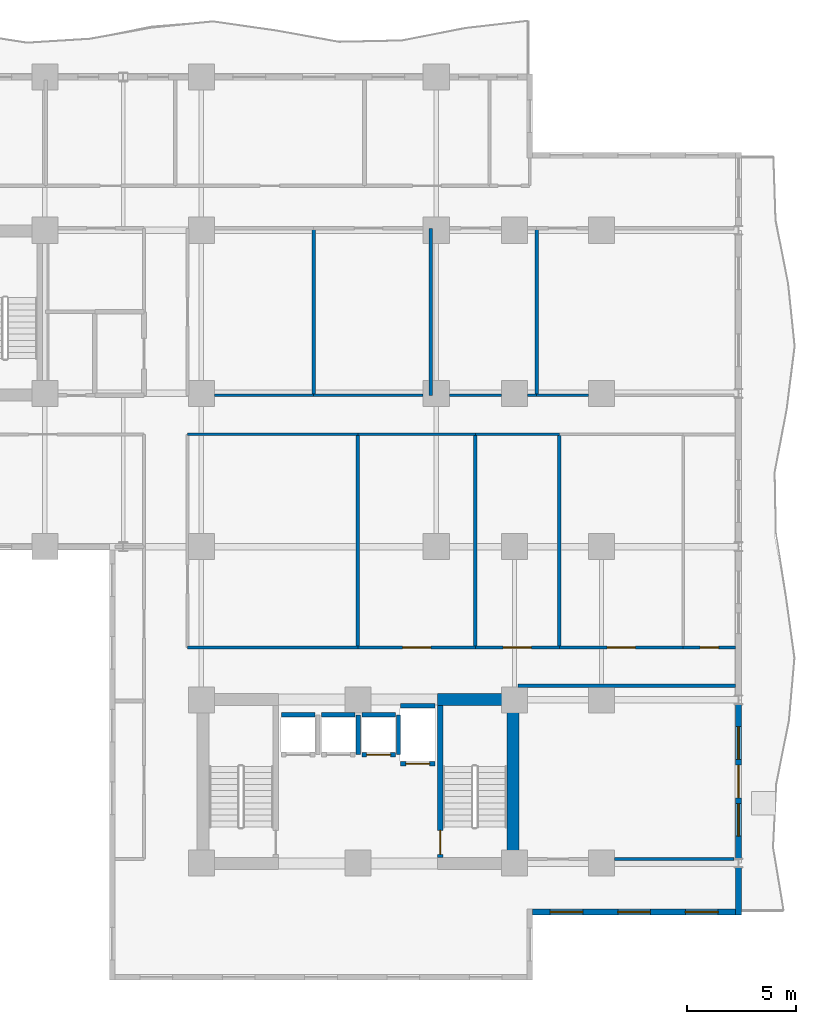
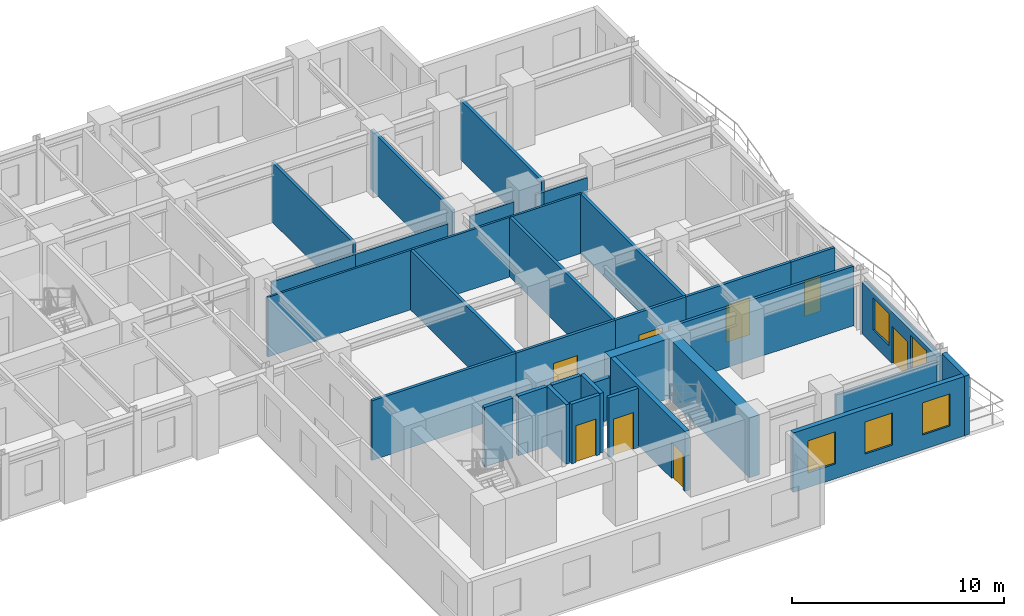
# One storey, part 5 of 11: 35 walls, 8 doors, 5 windows, 13 openings.
"""IFC4 building model written with IfcOpenShell, lengths in metres."""

from ifc_helpers import new_model, si_unit, direction, frame, frame_2d, origin, place, context, subcontext, project, spatial, rectangle, extrude, material, layer, layer_set, type_object, element, fill, save


model = new_model("IFC4")

# Units and contexts
model_context = context("Model", 3, precision=1e-05, world=origin(), true_north=direction((0.0, 1.0)))
body_context = subcontext(model_context, "Body", "Model", "MODEL_VIEW")
ifc_project = project(units=[si_unit("LENGTHUNIT", "METRE"), si_unit("AREAUNIT", "SQUARE_METRE"), si_unit("VOLUMEUNIT", "CUBIC_METRE"), si_unit("PLANEANGLEUNIT", "RADIAN"), si_unit("MASSUNIT", "GRAM", prefix="KILO")], contexts=[model_context])

# Site, building, storey
site_placement = place(None, origin())
site = spatial("IfcSite", under=ifc_project, at=site_placement, CompositionType="ELEMENT")
building_placement = place(site_placement, origin())
building = spatial("IfcBuilding", under=site, at=building_placement, Name="Kaliganga Portal Commons", CompositionType="ELEMENT")
storey_placement = place(building_placement, frame((0.0, 0.0, 115.60009765625)))
storey = spatial("IfcBuildingStorey", under=building, at=storey_placement, Name="L29", CompositionType="ELEMENT", Elevation=115.60009765625)

# Walls
ifc_material_1 = material(Name="Concrete C60/75", Category="concrete")
ifc_layer_1 = layer(ifc_material_1, 0.550048828125)
ifc_layer_set_1 = layer_set([ifc_layer_1], Name="Concrete C60/75")
wall_type_1 = type_object("IfcWallType", Name="WL-CORE-550", PredefinedType="SHEAR", material=ifc_layer_set_1)
wall_1_placement = place(storey_placement, frame((50.324951171875, 6.75, 0.0), z_axis=(0.0, 0.0, 1.0), x_axis=(0.0, 1.0, 0.0)))
element("IfcWall", 1, at=wall_1_placement, inside=storey, type_object=wall_type_1, Name="Core B East Shear Wall L29", PredefinedType="SHEAR", context=body_context, shape_type="SweptSolid", body=[
    extrude(rectangle(XDim=8.10009765625, YDim=0.550048828125, at=frame_2d((4.050048828125, 0.0))), origin(), (0.0, 0.0, 1.0), 3.449951171875),
])
wall_2_placement = place(storey_placement, frame((46.85009765625, 14.574951171875, 0.0), z_axis=(0.0, 0.0, 1.0), x_axis=(1.0, 0.0, 0.0)))
element("IfcWall", 2, at=wall_2_placement, inside=storey, type_object=wall_type_1, Name="Core B N-East Shear Wall L29", PredefinedType="SHEAR", context=body_context, shape_type="SweptSolid", body=[
    extrude(rectangle(XDim=3.199951171875, YDim=0.550048828125, at=frame_2d((1.60009765625, 0.0))), origin(), (0.0, 0.0, 1.0), 3.449951171875),
])

# Wall, openings, windows
ifc_material_2 = material(Name="Insulated Aluminium-Clad Spandrel Assembly", Category="aluminium")
ifc_layer_2 = layer(ifc_material_2, 0.260009765625)
ifc_layer_set_2 = layer_set([ifc_layer_2], Name="Insulated Aluminium-Clad Spandrel Assembly")
wall_type_2 = type_object("IfcWallType", Name="WL-EXT-SPAND-260", PredefinedType="STANDARD", material=ifc_layer_set_2)
wall_3_placement = place(storey_placement, frame((60.56494140625, 4.800048828125, 0.0), z_axis=(0.0, 0.0, 1.0), x_axis=(-1.0, 0.0, 0.0)))
wall_3 = element("IfcWall", 3, at=wall_3_placement, inside=storey, type_object=wall_type_2, Name="Exterior Envelope Wall L29 P1-E02-S1", PredefinedType="STANDARD", context=body_context, shape_type="SweptSolid", body=[
    extrude(rectangle(XDim=9.329833984375, YDim=0.260009765625, at=frame_2d((4.6650390625, 0.0))), origin(), (0.0, 0.0, 1.0), 3.429931640625),
])
opening_1_placement = place(wall_3_placement, frame((0.804931640625, 0.0, 0.85009765625)))
opening_1 = element("IfcOpeningElement", 4, at=opening_1_placement, cuts=wall_3, Name="Opening W-02", PredefinedType="OPENING", context=body_context, shape_type="SweptSolid", body=[
    extrude(rectangle(XDim=1.5, YDim=1.85009765625, at=frame_2d((0.75, 0.925048828125))), frame((0.0, 0.14013671875, 0.0), z_axis=(0.0, -1.0, 0.0), x_axis=(1.0, 0.0, 0.0)), (0.0, 0.0, 1.0), 0.280029296875),
])
opening_2_placement = place(wall_3_placement, frame((3.9150390625, 0.0, 0.85009765625)))
opening_2 = element("IfcOpeningElement", 5, at=opening_2_placement, cuts=wall_3, Name="Opening W-02", PredefinedType="OPENING", context=body_context, shape_type="SweptSolid", body=[
    extrude(rectangle(XDim=1.5, YDim=1.85009765625, at=frame_2d((0.75, 0.925048828125))), frame((0.0, 0.14013671875, 0.0), z_axis=(0.0, -1.0, 0.0), x_axis=(1.0, 0.0, 0.0)), (0.0, 0.0, 1.0), 0.280029296875),
])
opening_3_placement = place(wall_3_placement, frame((7.02490234375, 0.0, 0.85009765625)))
opening_3 = element("IfcOpeningElement", 6, at=opening_3_placement, cuts=wall_3, Name="Opening W-02", PredefinedType="OPENING", context=body_context, shape_type="SweptSolid", body=[
    extrude(rectangle(XDim=1.5, YDim=1.85009765625, at=frame_2d((0.75, 0.925048828125))), frame((0.0, 0.14013671875, 0.0), z_axis=(0.0, -1.0, 0.0), x_axis=(1.0, 0.0, 0.0)), (0.0, 0.0, 1.0), 0.280029296875),
])
ifc_material_3 = material(Name="Thermally Broken Aluminium and Low-E Double Glazing", Category="aluminium")
window_type = type_object("IfcWindowType", Name="WIN-STD-1500", PartitioningType="DOUBLE_PANEL_VERTICAL", PredefinedType="WINDOW", material=ifc_material_3)
window_1_placement = place(opening_1_placement, origin())
window_1 = element("IfcWindow", 7, at=window_1_placement, inside=storey, type_object=window_type, Name="Facade Window L29-P1E02S1-00", OverallHeight=1.85009765625, OverallWidth=1.5, PartitioningType="SINGLE_PANEL", PredefinedType="WINDOW", context=body_context, shape_type="SweptSolid", body=[
    extrude(rectangle(XDim=1.5, YDim=1.85009765625, at=frame_2d((0.75, 0.925048828125))), frame((0.0, 0.030029296875, 0.0), z_axis=(0.0, -1.0, 0.0), x_axis=(1.0, 0.0, 0.0)), (0.0, 0.0, 1.0), 0.06005859375),
])
fill(opening_1, window_1)
window_2_placement = place(opening_2_placement, origin())
window_2 = element("IfcWindow", 8, at=window_2_placement, inside=storey, type_object=window_type, Name="Facade Window L29-P1E02S1-01", OverallHeight=1.85009765625, OverallWidth=1.5, PartitioningType="SINGLE_PANEL", PredefinedType="WINDOW", context=body_context, shape_type="SweptSolid", body=[
    extrude(rectangle(XDim=1.5, YDim=1.85009765625, at=frame_2d((0.75, 0.925048828125))), frame((0.0, 0.030029296875, 0.0), z_axis=(0.0, -1.0, 0.0), x_axis=(1.0, 0.0, 0.0)), (0.0, 0.0, 1.0), 0.06005859375),
])
fill(opening_2, window_2)
window_3_placement = place(opening_3_placement, origin())
window_3 = element("IfcWindow", 9, at=window_3_placement, inside=storey, type_object=window_type, Name="Facade Window L29-P1E02S1-02", OverallHeight=1.85009765625, OverallWidth=1.5, PartitioningType="SINGLE_PANEL", PredefinedType="WINDOW", context=body_context, shape_type="SweptSolid", body=[
    extrude(rectangle(XDim=1.5, YDim=1.85009765625, at=frame_2d((0.75, 0.925048828125))), frame((0.0, 0.030029296875, 0.0), z_axis=(0.0, -1.0, 0.0), x_axis=(1.0, 0.0, 0.0)), (0.0, 0.0, 1.0), 0.06005859375),
])
fill(opening_3, window_3)

# Wall
wall_4_placement = place(storey_placement, frame((60.699951171875, 6.833984375, 0.0), z_axis=(0.0, 0.0, 1.0), x_axis=(0.0, -1.0, 0.0)))
element("IfcWall", 10, at=wall_4_placement, inside=storey, type_object=wall_type_2, Name="Exterior Envelope Wall L29 P1-E03-S1", PredefinedType="STANDARD", context=body_context, shape_type="SweptSolid", body=[
    extrude(rectangle(XDim=2.1640625, YDim=0.260009765625, at=frame_2d((1.08203125, 0.0))), origin(), (0.0, 0.0, 1.0), 3.429931640625),
])

# Wall, openings, door, windows
wall_5_placement = place(storey_placement, frame((60.699951171875, 14.333984375, 0.0), z_axis=(0.0, 0.0, 1.0), x_axis=(0.0, -1.0, 0.0)))
wall_5 = element("IfcWall", 11, at=wall_5_placement, inside=storey, type_object=wall_type_2, Name="Exterior Envelope Wall L29 P1-E03-S2", PredefinedType="STANDARD", context=body_context, shape_type="SweptSolid", body=[
    extrude(rectangle(XDim=7.06787109375, YDim=0.260009765625, at=frame_2d((3.533935546875, 0.0))), origin(), (0.0, 0.0, 1.0), 2.97998046875),
])
opening_4_placement = place(wall_5_placement, frame((2.783935546875, 0.0, 0.0)))
opening_4 = element("IfcOpeningElement", 12, at=opening_4_placement, cuts=wall_5, Name="Opening BD-01", PredefinedType="OPENING", context=body_context, shape_type="SweptSolid", body=[
    extrude(rectangle(XDim=1.5, YDim=2.14990234375, at=frame_2d((0.75, 1.074951171875))), frame((0.0, 0.14013671875, 0.0), z_axis=(0.0, -1.0, 0.0), x_axis=(1.0, 0.0, 0.0)), (0.0, 0.0, 1.0), 0.280029296875),
])
opening_5_placement = place(wall_5_placement, frame((1.01708984375, 0.0, 0.85009765625)))
opening_5 = element("IfcOpeningElement", 13, at=opening_5_placement, cuts=wall_5, Name="Opening W-02", PredefinedType="OPENING", context=body_context, shape_type="SweptSolid", body=[
    extrude(rectangle(XDim=1.5, YDim=1.85009765625, at=frame_2d((0.75, 0.925048828125))), frame((0.0, 0.14013671875, 0.0), z_axis=(0.0, -1.0, 0.0), x_axis=(1.0, 0.0, 0.0)), (0.0, 0.0, 1.0), 0.280029296875),
])
opening_6_placement = place(wall_5_placement, frame((4.551025390625, 0.0, 0.85009765625)))
opening_6 = element("IfcOpeningElement", 14, at=opening_6_placement, cuts=wall_5, Name="Opening W-02", PredefinedType="OPENING", context=body_context, shape_type="SweptSolid", body=[
    extrude(rectangle(XDim=1.5, YDim=1.85009765625, at=frame_2d((0.75, 0.925048828125))), frame((0.0, 0.14013671875, 0.0), z_axis=(0.0, -1.0, 0.0), x_axis=(1.0, 0.0, 0.0)), (0.0, 0.0, 1.0), 0.280029296875),
])
ifc_material_4 = material(Name="Anodized Aluminium and Laminated Safety Glass", Category="aluminium")
door_type_1 = type_object("IfcDoorType", Name="DR-BALC-1500", OperationType="SLIDING_TO_LEFT", PredefinedType="DOOR", material=ifc_material_4)
door_1_placement = place(opening_4_placement, origin())
door_1 = element("IfcDoor", 15, at=door_1_placement, inside=storey, type_object=door_type_1, Name="Balcony Sliding Door L29 balc_east", OperationType="SLIDING_TO_LEFT", OverallHeight=2.14990234375, OverallWidth=1.5, PredefinedType="DOOR", context=body_context, shape_type="SweptSolid", body=[
    extrude(rectangle(XDim=1.5, YDim=2.14990234375, at=frame_2d((0.75, 1.074951171875))), frame((0.0, 0.02490234375, 0.0), z_axis=(0.0, -1.0, 0.0), x_axis=(1.0, 0.0, 0.0)), (0.0, 0.0, 1.0), 0.050048828125),
])
fill(opening_4, door_1)
window_4_placement = place(opening_5_placement, origin())
window_4 = element("IfcWindow", 16, at=window_4_placement, inside=storey, type_object=window_type, Name="Facade Window L29-P1E03S2-00", OverallHeight=1.85009765625, OverallWidth=1.5, PartitioningType="SINGLE_PANEL", PredefinedType="WINDOW", context=body_context, shape_type="SweptSolid", body=[
    extrude(rectangle(XDim=1.5, YDim=1.85009765625, at=frame_2d((0.75, 0.925048828125))), frame((0.0, 0.030029296875, 0.0), z_axis=(0.0, -1.0, 0.0), x_axis=(1.0, 0.0, 0.0)), (0.0, 0.0, 1.0), 0.06005859375),
])
fill(opening_5, window_4)
window_5_placement = place(opening_6_placement, origin())
window_5 = element("IfcWindow", 17, at=window_5_placement, inside=storey, type_object=window_type, Name="Facade Window L29-P1E03S2-01", OverallHeight=1.85009765625, OverallWidth=1.5, PartitioningType="SINGLE_PANEL", PredefinedType="WINDOW", context=body_context, shape_type="SweptSolid", body=[
    extrude(rectangle(XDim=1.5, YDim=1.85009765625, at=frame_2d((0.75, 0.925048828125))), frame((0.0, 0.030029296875, 0.0), z_axis=(0.0, -1.0, 0.0), x_axis=(1.0, 0.0, 0.0)), (0.0, 0.0, 1.0), 0.06005859375),
])
fill(opening_6, window_5)

# Walls
ifc_material_5 = material(Name="Fire-Rated Gypsum Board on Steel Stud", Category="steel")
ifc_layer_3 = layer(ifc_material_5, 0.14990234375)
ifc_layer_set_3 = layer_set([ifc_layer_3], Name="Fire-Rated Gypsum Board on Steel Stud")
wall_type_3 = type_object("IfcWallType", Name="WL-PART-CORR-150", PredefinedType="PARTITIONING", material=ifc_layer_set_3)
wall_6_placement = place(storey_placement, frame((55.0, 7.239990234375, 0.0), z_axis=(0.0, 0.0, 1.0), x_axis=(1.0, 0.0, 0.0)))
element("IfcWall", 18, at=wall_6_placement, inside=storey, type_object=wall_type_3, Name="Interior Partition L29-002", PredefinedType="PARTITIONING", context=body_context, shape_type="SweptSolid", body=[
    extrude(rectangle(XDim=5.49560546875, YDim=0.14990234375, at=frame_2d((2.747802734375, 0.0))), origin(), (0.0, 0.0, 1.0), 2.77978515625),
])
wall_7_placement = place(storey_placement, frame((50.56005859375, 15.199951171875, 0.0), z_axis=(0.0, 0.0, 1.0), x_axis=(1.0, 0.0, 0.0)))
element("IfcWall", 19, at=wall_7_placement, inside=storey, type_object=wall_type_3, Name="Interior Partition L29-003", PredefinedType="PARTITIONING", context=body_context, shape_type="SweptSolid", body=[
    extrude(rectangle(XDim=10.008056640625, YDim=0.14990234375, at=frame_2d((5.00390625, 0.0))), origin(), (0.0, 0.0, 1.0), 3.429931640625),
])
wall_8_placement = place(storey_placement, frame((35.360107421875, 16.9599609375, 0.0), z_axis=(0.0, 0.0, 1.0), x_axis=(1.0, 0.0, 0.0)))
element("IfcWall", 20, at=wall_8_placement, inside=storey, type_object=wall_type_3, Name="Interior Partition L29-009", PredefinedType="PARTITIONING", context=body_context, shape_type="SweptSolid", body=[
    extrude(rectangle(XDim=7.83984375, YDim=0.14990234375, at=frame_2d((3.919921875, 0.0))), origin(), (0.0, 0.0, 1.0), 3.429931640625),
])

# Wall, opening, door
wall_9_placement = place(storey_placement, frame((52.4599609375, 16.9599609375, 0.0), z_axis=(0.0, 0.0, 1.0), x_axis=(1.0, 0.0, 0.0)))
wall_9 = element("IfcWall", 21, at=wall_9_placement, inside=storey, type_object=wall_type_3, Name="Interior Partition L29-019", PredefinedType="PARTITIONING", context=body_context, shape_type="SweptSolid", body=[
    extrude(rectangle(XDim=5.699951171875, YDim=0.14990234375, at=frame_2d((2.85009765625, 0.0))), origin(), (0.0, 0.0, 1.0), 3.429931640625),
])
opening_7_placement = place(wall_9_placement, frame((2.199951171875, 0.0, 0.0)))
opening_7 = element("IfcOpeningElement", 22, at=opening_7_placement, cuts=wall_9, Name="Opening RD-03", PredefinedType="OPENING", context=body_context, shape_type="SweptSolid", body=[
    extrude(rectangle(XDim=1.300048828125, YDim=2.1201171875, at=frame_2d((0.64990234375, 1.06005859375))), frame((0.0, 0.0849609375, 0.0), z_axis=(0.0, -1.0, 0.0), x_axis=(1.0, 0.0, 0.0)), (0.0, 0.0, 1.0), 0.169921875),
])
ifc_material_6 = material(Name="Glazed Timber Seminar Vision Door", Category="wood")
door_type_2 = type_object("IfcDoorType", Name="DR-STUDY-1300", OperationType="DOUBLE_DOOR_SINGLE_SWING", PredefinedType="DOOR", material=ifc_material_6)
door_2_placement = place(opening_7_placement, origin())
door_2 = element("IfcDoor", 23, at=door_2_placement, inside=storey, type_object=door_type_2, Name="Interior Door L29-BM03", OperationType="DOUBLE_DOOR_SINGLE_SWING", OverallHeight=2.1201171875, OverallWidth=1.300048828125, PredefinedType="DOOR", context=body_context, shape_type="SweptSolid", body=[
    extrude(rectangle(XDim=1.300048828125, YDim=2.1201171875, at=frame_2d((0.64990234375, 1.06005859375))), frame((0.0, 0.02490234375, 0.0), z_axis=(0.0, -1.0, 0.0), x_axis=(1.0, 0.0, 0.0)), (0.0, 0.0, 1.0), 0.050048828125),
])
fill(opening_7, door_2)

wall_10_placement = place(storey_placement, frame((43.199951171875, 16.9599609375, 0.0), z_axis=(0.0, 0.0, 1.0), x_axis=(1.0, 0.0, 0.0)))
wall_10 = element("IfcWall", 24, at=wall_10_placement, inside=storey, type_object=wall_type_3, Name="Interior Partition L29-020", PredefinedType="PARTITIONING", context=body_context, shape_type="SweptSolid", body=[
    extrude(rectangle(XDim=5.400146484375, YDim=0.14990234375, at=frame_2d((2.7001953125, 0.0))), origin(), (0.0, 0.0, 1.0), 3.429931640625),
])
opening_8_placement = place(wall_10_placement, frame((2.050048828125, 0.0, 0.0)))
opening_8 = element("IfcOpeningElement", 25, at=opening_8_placement, cuts=wall_10, Name="Opening RD-03", PredefinedType="OPENING", context=body_context, shape_type="SweptSolid", body=[
    extrude(rectangle(XDim=1.300048828125, YDim=2.1201171875, at=frame_2d((0.64990234375, 1.06005859375))), frame((0.0, 0.0849609375, 0.0), z_axis=(0.0, -1.0, 0.0), x_axis=(1.0, 0.0, 0.0)), (0.0, 0.0, 1.0), 0.169921875),
])
door_3_placement = place(opening_8_placement, origin())
door_3 = element("IfcDoor", 26, at=door_3_placement, inside=storey, type_object=door_type_2, Name="Interior Door L29-BM02", OperationType="DOUBLE_DOOR_SINGLE_SWING", OverallHeight=2.1201171875, OverallWidth=1.300048828125, PredefinedType="DOOR", context=body_context, shape_type="SweptSolid", body=[
    extrude(rectangle(XDim=1.300048828125, YDim=2.1201171875, at=frame_2d((0.64990234375, 1.06005859375))), frame((0.0, 0.02490234375, 0.0), z_axis=(0.0, -1.0, 0.0), x_axis=(1.0, 0.0, 0.0)), (0.0, 0.0, 1.0), 0.050048828125),
])
fill(opening_8, door_3)

wall_11_placement = place(storey_placement, frame((48.60009765625, 16.9599609375, 0.0), z_axis=(0.0, 0.0, 1.0), x_axis=(1.0, 0.0, 0.0)))
wall_11 = element("IfcWall", 27, at=wall_11_placement, inside=storey, type_object=wall_type_3, Name="Interior Partition L29-027", PredefinedType="PARTITIONING", context=body_context, shape_type="SweptSolid", body=[
    extrude(rectangle(XDim=3.85986328125, YDim=0.14990234375, at=frame_2d((1.929931640625, 0.0))), origin(), (0.0, 0.0, 1.0), 3.429931640625),
])
opening_9_placement = place(wall_11_placement, frame((1.280029296875, 0.0, 0.0)))
opening_9 = element("IfcOpeningElement", 28, at=opening_9_placement, cuts=wall_11, Name="Opening RD-03", PredefinedType="OPENING", context=body_context, shape_type="SweptSolid", body=[
    extrude(rectangle(XDim=1.300048828125, YDim=2.1201171875, at=frame_2d((0.64990234375, 1.06005859375))), frame((0.0, 0.0849609375, 0.0), z_axis=(0.0, -1.0, 0.0), x_axis=(1.0, 0.0, 0.0)), (0.0, 0.0, 1.0), 0.169921875),
])
door_4_placement = place(opening_9_placement, origin())
door_4 = element("IfcDoor", 29, at=door_4_placement, inside=storey, type_object=door_type_2, Name="Interior Door L29-BM02B", OperationType="DOUBLE_DOOR_SINGLE_SWING", OverallHeight=2.1201171875, OverallWidth=1.300048828125, PredefinedType="DOOR", context=body_context, shape_type="SweptSolid", body=[
    extrude(rectangle(XDim=1.300048828125, YDim=2.1201171875, at=frame_2d((0.64990234375, 1.06005859375))), frame((0.0, 0.02490234375, 0.0), z_axis=(0.0, -1.0, 0.0), x_axis=(1.0, 0.0, 0.0)), (0.0, 0.0, 1.0), 0.050048828125),
])
fill(opening_9, door_4)

wall_12_placement = place(storey_placement, frame((58.159912109375, 16.9599609375, 0.0), z_axis=(0.0, 0.0, 1.0), x_axis=(1.0, 0.0, 0.0)))
wall_12 = element("IfcWall", 30, at=wall_12_placement, inside=storey, type_object=wall_type_3, Name="Interior Partition L29-033", PredefinedType="PARTITIONING", context=body_context, shape_type="SweptSolid", body=[
    extrude(rectangle(XDim=2.408203125, YDim=0.14990234375, at=frame_2d((1.2041015625, 0.0))), origin(), (0.0, 0.0, 1.0), 3.429931640625),
])
opening_10_placement = place(wall_12_placement, frame((0.779052734375, 0.0, 0.0)))
opening_10 = element("IfcOpeningElement", 31, at=opening_10_placement, cuts=wall_12, Name="Opening WD-01", PredefinedType="OPENING", context=body_context, shape_type="SweptSolid", body=[
    extrude(rectangle(XDim=0.85009765625, YDim=2.0400390625, at=frame_2d((0.425048828125, 1.02001953125))), frame((0.0, 0.0849609375, 0.0), z_axis=(0.0, -1.0, 0.0), x_axis=(1.0, 0.0, 0.0)), (0.0, 0.0, 1.0), 0.169921875),
])
ifc_material_7 = material(Name="Moisture-Resistant Laminate Timber Door", Category="wood")
door_type_3 = type_object("IfcDoorType", Name="DR-WET-850", OperationType="NOTDEFINED", PredefinedType="DOOR", material=ifc_material_7)
door_5_placement = place(opening_10_placement, origin())
door_5 = element("IfcDoor", 32, at=door_5_placement, inside=storey, type_object=door_type_3, Name="Interior Door L29-BM04", OperationType="SINGLE_SWING_LEFT", OverallHeight=2.0400390625, OverallWidth=0.85009765625, PredefinedType="DOOR", context=body_context, shape_type="SweptSolid", body=[
    extrude(rectangle(XDim=0.85009765625, YDim=2.0400390625, at=frame_2d((0.425048828125, 1.02001953125))), frame((0.0, 0.02490234375, 0.0), z_axis=(0.0, -1.0, 0.0), x_axis=(1.0, 0.0, 0.0)), (0.0, 0.0, 1.0), 0.050048828125),
])
fill(opening_10, door_5)

# Walls
ifc_material_8 = material(Name="Moisture-Resistant Gypsum Partition", Category="gypsum")
ifc_layer_4 = layer(ifc_material_8, 0.114990234375)
ifc_layer_set_4 = layer_set([ifc_layer_4], Name="Moisture-Resistant Gypsum Partition")
wall_type_4 = type_object("IfcWallType", Name="WL-PART-ROOM-115", PredefinedType="PARTITIONING", material=ifc_layer_set_4)
wall_13_placement = place(storey_placement, frame((51.419921875, 28.56005859375, 0.0), z_axis=(0.0, 0.0, 1.0), x_axis=(1.0, 0.0, 0.0)))
element("IfcWall", 33, at=wall_13_placement, inside=storey, type_object=wall_type_4, Name="Interior Partition L29-047", PredefinedType="PARTITIONING", context=body_context, shape_type="SweptSolid", body=[
    extrude(rectangle(XDim=2.380126953125, YDim=0.114990234375, at=frame_2d((1.18994140625, 0.0))), origin(), (0.0, 0.0, 1.0), 2.77978515625),
])
wall_14_placement = place(storey_placement, frame((35.360107421875, 26.760009765625, 0.0), z_axis=(0.0, 0.0, 1.0), x_axis=(1.0, 0.0, 0.0)))
element("IfcWall", 34, at=wall_14_placement, inside=storey, type_object=wall_type_4, Name="Interior Partition L29-049", PredefinedType="PARTITIONING", context=body_context, shape_type="SweptSolid", body=[
    extrude(rectangle(XDim=7.83984375, YDim=0.114990234375, at=frame_2d((3.919921875, 0.0))), origin(), (0.0, 0.0, 1.0), 3.429931640625),
])
wall_15_placement = place(storey_placement, frame((36.60009765625, 28.56005859375, 0.0), z_axis=(0.0, 0.0, 1.0), x_axis=(1.0, 0.0, 0.0)))
element("IfcWall", 35, at=wall_15_placement, inside=storey, type_object=wall_type_4, Name="Interior Partition L29-053", PredefinedType="PARTITIONING", context=body_context, shape_type="SweptSolid", body=[
    extrude(rectangle(XDim=4.559814453125, YDim=0.114990234375, at=frame_2d((2.27978515625, 0.0))), origin(), (0.0, 0.0, 1.0), 2.77978515625),
])
wall_16_placement = place(storey_placement, frame((43.199951171875, 26.760009765625, 0.0), z_axis=(0.0, 0.0, 1.0), x_axis=(1.0, 0.0, 0.0)))
element("IfcWall", 36, at=wall_16_placement, inside=storey, type_object=wall_type_4, Name="Interior Partition L29-055", PredefinedType="PARTITIONING", context=body_context, shape_type="SweptSolid", body=[
    extrude(rectangle(XDim=5.400146484375, YDim=0.114990234375, at=frame_2d((2.7001953125, 0.0))), origin(), (0.0, 0.0, 1.0), 3.429931640625),
])
wall_17_placement = place(storey_placement, frame((41.159912109375, 28.56005859375, 0.0), z_axis=(0.0, 0.0, 1.0), x_axis=(1.0, 0.0, 0.0)))
element("IfcWall", 37, at=wall_17_placement, inside=storey, type_object=wall_type_4, Name="Interior Partition L29-056", PredefinedType="PARTITIONING", context=body_context, shape_type="SweptSolid", body=[
    extrude(rectangle(XDim=5.0400390625, YDim=0.114990234375, at=frame_2d((2.52001953125, 0.0))), origin(), (0.0, 0.0, 1.0), 2.77978515625),
])
wall_18_placement = place(storey_placement, frame((47.39990234375, 28.56005859375, 0.0), z_axis=(0.0, 0.0, 1.0), x_axis=(1.0, 0.0, 0.0)))
element("IfcWall", 38, at=wall_18_placement, inside=storey, type_object=wall_type_4, Name="Interior Partition L29-068", PredefinedType="PARTITIONING", context=body_context, shape_type="SweptSolid", body=[
    extrude(rectangle(XDim=2.400146484375, YDim=0.114990234375, at=frame_2d((1.2001953125, 0.0))), origin(), (0.0, 0.0, 1.0), 2.77978515625),
])
wall_19_placement = place(storey_placement, frame((51.0, 28.56005859375, 0.0), z_axis=(0.0, 0.0, 1.0), x_axis=(1.0, 0.0, 0.0)))
element("IfcWall", 39, at=wall_19_placement, inside=storey, type_object=wall_type_4, Name="Interior Partition L29-069", PredefinedType="PARTITIONING", context=body_context, shape_type="SweptSolid", body=[
    extrude(rectangle(XDim=0.419921875, YDim=0.114990234375, at=frame_2d((0.2099609375, 0.0))), origin(), (0.0, 0.0, 1.0), 2.77978515625),
])
wall_20_placement = place(storey_placement, frame((48.60009765625, 26.760009765625, 0.0), z_axis=(0.0, 0.0, 1.0), x_axis=(1.0, 0.0, 0.0)))
element("IfcWall", 40, at=wall_20_placement, inside=storey, type_object=wall_type_4, Name="Interior Partition L29-070", PredefinedType="PARTITIONING", context=body_context, shape_type="SweptSolid", body=[
    extrude(rectangle(XDim=3.85986328125, YDim=0.114990234375, at=frame_2d((1.929931640625, 0.0))), origin(), (0.0, 0.0, 1.0), 3.429931640625),
])
ifc_material_9 = material(Name="Twin-Stud Acoustic Gypsum Partition", Category="gypsum")
ifc_layer_5 = layer(ifc_material_9, 0.1650390625)
ifc_layer_set_5 = layer_set([ifc_layer_5], Name="Twin-Stud Acoustic Gypsum Partition")
wall_type_5 = type_object("IfcWallType", Name="WL-PART-UNIT-165", PredefinedType="PARTITIONING", material=ifc_layer_set_5)
for number, where, z_axis, x_axis, name in (
    (41, (43.199951171875, 16.9599609375, 0.0), (0.0, 0.0, 1.0), (0.0, 1.0, 0.0), "Interior Partition L29-043"),
    (42, (48.60009765625, 16.9599609375, 0.0), (0.0, 0.0, 1.0), (0.0, 1.0, 0.0), "Interior Partition L29-044"),
    (43, (52.4599609375, 16.9599609375, 0.0), (0.0, 0.0, 1.0), (0.0, 1.0, 0.0), "Interior Partition L29-045"),
):
    element("IfcWall", number, at=place(storey_placement, frame(where, z_axis=z_axis, x_axis=x_axis)), inside=storey, type_object=wall_type_5, Name=name, PredefinedType="PARTITIONING", context=body_context, shape_type="SweptSolid", body=[
        extrude(rectangle(XDim=9.800048828125, YDim=0.1650390625, at=frame_2d((4.89990234375, 0.0))), origin(), (0.0, 0.0, 1.0), 3.429931640625),
    ])
for number, where, z_axis, x_axis, name in (
    (44, (41.159912109375, 28.56005859375, 0.0), (0.0, 0.0, 1.0), (0.0, 1.0, 0.0), "Interior Partition L29-050"),
    (45, (46.5400390625, 28.56005859375, 0.0), (0.0, 0.0, 1.0), (0.0, 1.0, 0.0), "Interior Partition L29-051"),
    (46, (51.419921875, 28.56005859375, 0.0), (0.0, 0.0, 1.0), (0.0, 1.0, 0.0), "Interior Partition L29-052"),
):
    element("IfcWall", number, at=place(storey_placement, frame(where, z_axis=z_axis, x_axis=x_axis)), inside=storey, type_object=wall_type_5, Name=name, PredefinedType="PARTITIONING", context=body_context, shape_type="SweptSolid", body=[
        extrude(rectangle(XDim=7.679931640625, YDim=0.1650390625, at=frame_2d((3.83984375, 0.0))), origin(), (0.0, 0.0, 1.0), 3.429931640625),
    ])
ifc_material_10 = material(Name="Fire-Rated Shaftwall Masonry Assembly", Category="masonry")
ifc_layer_6 = layer(ifc_material_10, 0.199951171875)
ifc_layer_set_6 = layer_set([ifc_layer_6], Name="Fire-Rated Shaftwall Masonry Assembly")
wall_type_6 = type_object("IfcWallType", Name="WL-SHAFT-200", PredefinedType="PARTITIONING", material=ifc_layer_set_6)
for number, where, z_axis, x_axis, name in (
    (47, (39.675048828125, 13.864990234375, 0.0), (0.0, 0.0, 1.0), (1.0, 0.0, 0.0), "Lift PL-B1 Hoistway Shaft Wall L29-N"),
    (48, (41.52490234375, 13.864990234375, 0.0), (0.0, 0.0, 1.0), (1.0, 0.0, 0.0), "Lift PL-B2 Hoistway Shaft Wall L29-N"),
):
    element("IfcWall", number, at=place(storey_placement, frame(where, z_axis=z_axis, x_axis=x_axis)), inside=storey, type_object=wall_type_6, Name=name, PredefinedType="PARTITIONING", context=body_context, shape_type="SweptSolid", body=[
        extrude(rectangle(XDim=1.550048828125, YDim=0.199951171875, at=frame_2d((0.77490234375, 0.0))), origin(), (0.0, 0.0, 1.0), 3.429931640625),
    ])
wall_21_placement = place(storey_placement, frame((43.215087890625, 12.034912109375, 0.0), z_axis=(0.0, 0.0, 1.0), x_axis=(0.0, 1.0, 0.0)))
element("IfcWall", 49, at=wall_21_placement, inside=storey, type_object=wall_type_6, Name="Lift PL-B2 Hoistway Shaft Wall L29-E", PredefinedType="PARTITIONING", context=body_context, shape_type="SweptSolid", body=[
    extrude(rectangle(XDim=1.830078125, YDim=0.199951171875, at=frame_2d((0.9150390625, 0.0))), origin(), (0.0, 0.0, 1.0), 3.429931640625),
])

# Wall, opening, door
wall_22_placement = place(storey_placement, frame((43.375, 12.034912109375, 0.0), z_axis=(0.0, 0.0, 1.0), x_axis=(1.0, 0.0, 0.0)))
wall_22 = element("IfcWall", 50, at=wall_22_placement, inside=storey, type_object=wall_type_6, Name="Lift SH-2 Hoistway Shaft Wall L29-S", PredefinedType="PARTITIONING", context=body_context, shape_type="SweptSolid", body=[
    extrude(rectangle(XDim=1.550048828125, YDim=0.199951171875, at=frame_2d((0.77490234375, 0.0))), origin(), (0.0, 0.0, 1.0), 3.429931640625),
])
opening_11_placement = place(wall_22_placement, frame((0.22509765625, 0.0, 0.0)))
opening_11 = element("IfcOpeningElement", 51, at=opening_11_placement, cuts=wall_22, Name="Opening LD-01", PredefinedType="OPENING", context=body_context, shape_type="SweptSolid", body=[
    extrude(rectangle(XDim=1.10009765625, YDim=2.1201171875, at=frame_2d((0.550048828125, 1.06005859375))), frame((0.0, 0.10986328125, 0.0), z_axis=(0.0, -1.0, 0.0), x_axis=(1.0, 0.0, 0.0)), (0.0, 0.0, 1.0), 0.219970703125),
])
ifc_material_11 = material(Name="Brushed Stainless Steel 316 Lift Landing Door", Category="steel")
door_type_4 = type_object("IfcDoorType", Name="DR-LIFT-1100", OperationType="SLIDING_TO_LEFT", PredefinedType="DOOR", material=ifc_material_11)
door_6_placement = place(opening_11_placement, origin())
door_6 = element("IfcDoor", 52, at=door_6_placement, inside=storey, type_object=door_type_4, Name="Lift SH-2 Sliding Landing Door L29", OperationType="SLIDING_TO_LEFT", OverallHeight=2.1201171875, OverallWidth=1.10009765625, PredefinedType="DOOR", context=body_context, shape_type="SweptSolid", body=[
    extrude(rectangle(XDim=1.10009765625, YDim=2.1201171875, at=frame_2d((0.550048828125, 1.06005859375))), frame((0.0, 0.02490234375, 0.0), z_axis=(0.0, -1.0, 0.0), x_axis=(1.0, 0.0, 0.0)), (0.0, 0.0, 1.0), 0.050048828125),
])
fill(opening_11, door_6)

# Walls
wall_23_placement = place(storey_placement, frame((43.375, 13.864990234375, 0.0), z_axis=(0.0, 0.0, 1.0), x_axis=(1.0, 0.0, 0.0)))
element("IfcWall", 53, at=wall_23_placement, inside=storey, type_object=wall_type_6, Name="Lift SH-2 Hoistway Shaft Wall L29-N", PredefinedType="PARTITIONING", context=body_context, shape_type="SweptSolid", body=[
    extrude(rectangle(XDim=1.550048828125, YDim=0.199951171875, at=frame_2d((0.77490234375, 0.0))), origin(), (0.0, 0.0, 1.0), 3.429931640625),
])
wall_24_placement = place(storey_placement, frame((45.06494140625, 12.034912109375, 0.0), z_axis=(0.0, 0.0, 1.0), x_axis=(0.0, 1.0, 0.0)))
element("IfcWall", 54, at=wall_24_placement, inside=storey, type_object=wall_type_6, Name="Lift SH-2 Hoistway Shaft Wall L29-E", PredefinedType="PARTITIONING", context=body_context, shape_type="SweptSolid", body=[
    extrude(rectangle(XDim=1.830078125, YDim=0.199951171875, at=frame_2d((0.9150390625, 0.0))), origin(), (0.0, 0.0, 1.0), 3.429931640625),
])

# Wall, opening, door
wall_25_placement = place(storey_placement, frame((45.14990234375, 11.610107421875, 0.0), z_axis=(0.0, 0.0, 1.0), x_axis=(1.0, 0.0, 0.0)))
wall_25 = element("IfcWall", 55, at=wall_25_placement, inside=storey, type_object=wall_type_6, Name="Lift SL-B1 Hoistway Shaft Wall L29-S", PredefinedType="PARTITIONING", context=body_context, shape_type="SweptSolid", body=[
    extrude(rectangle(XDim=1.60009765625, YDim=0.199951171875, at=frame_2d((0.800048828125, 0.0))), origin(), (0.0, 0.0, 1.0), 3.429931640625),
])
opening_12_placement = place(wall_25_placement, frame((0.25, 0.0, 0.0)))
opening_12 = element("IfcOpeningElement", 56, at=opening_12_placement, cuts=wall_25, Name="Opening LD-01", PredefinedType="OPENING", context=body_context, shape_type="SweptSolid", body=[
    extrude(rectangle(XDim=1.10009765625, YDim=2.1201171875, at=frame_2d((0.550048828125, 1.06005859375))), frame((0.0, 0.10986328125, 0.0), z_axis=(0.0, -1.0, 0.0), x_axis=(1.0, 0.0, 0.0)), (0.0, 0.0, 1.0), 0.219970703125),
])
door_7_placement = place(opening_12_placement, origin())
door_7 = element("IfcDoor", 57, at=door_7_placement, inside=storey, type_object=door_type_4, Name="Lift SL-B1 Sliding Landing Door L29", OperationType="SLIDING_TO_LEFT", OverallHeight=2.1201171875, OverallWidth=1.10009765625, PredefinedType="DOOR", context=body_context, shape_type="SweptSolid", body=[
    extrude(rectangle(XDim=1.10009765625, YDim=2.1201171875, at=frame_2d((0.550048828125, 1.06005859375))), frame((0.0, 0.02490234375, 0.0), z_axis=(0.0, -1.0, 0.0), x_axis=(1.0, 0.0, 0.0)), (0.0, 0.0, 1.0), 0.050048828125),
])
fill(opening_12, door_7)

# Wall
wall_26_placement = place(storey_placement, frame((45.14990234375, 14.2900390625, 0.0), z_axis=(0.0, 0.0, 1.0), x_axis=(1.0, 0.0, 0.0)))
element("IfcWall", 58, at=wall_26_placement, inside=storey, type_object=wall_type_6, Name="Lift SL-B1 Hoistway Shaft Wall L29-N", PredefinedType="PARTITIONING", context=body_context, shape_type="SweptSolid", body=[
    extrude(rectangle(XDim=1.60009765625, YDim=0.199951171875, at=frame_2d((0.800048828125, 0.0))), origin(), (0.0, 0.0, 1.0), 2.429931640625),
])

# Wall, opening, door
ifc_material_12 = material(Name="Concrete C50/60", Category="concrete")
ifc_layer_7 = layer(ifc_material_12, 0.25)
ifc_layer_set_7 = layer_set([ifc_layer_7], Name="Concrete C50/60")
wall_type_7 = type_object("IfcWallType", Name="WL-STAIR-250", PredefinedType="SHEAR", material=ifc_layer_set_7)
wall_27_placement = place(storey_placement, frame((46.97509765625, 7.300048828125, 0.0), z_axis=(0.0, 0.0, 1.0), x_axis=(0.0, 1.0, 0.0)))
wall_27 = element("IfcWall", 59, at=wall_27_placement, inside=storey, type_object=wall_type_7, Name="Stair B2 Enclosure Shear Wall L29", PredefinedType="SHEAR", context=body_context, shape_type="SweptSolid", body=[
    extrude(rectangle(XDim=7.0, YDim=0.25, at=frame_2d((3.5, 0.0))), origin(), (0.0, 0.0, 1.0), 3.449951171875),
])
opening_13_placement = place(wall_27_placement, frame((0.14990234375, 0.0, 0.0)))
opening_13 = element("IfcOpeningElement", 60, at=opening_13_placement, cuts=wall_27, Name="Opening SD-01", PredefinedType="OPENING", context=body_context, shape_type="SweptSolid", body=[
    extrude(rectangle(XDim=1.10009765625, YDim=2.080078125, at=frame_2d((0.550048828125, 1.0400390625))), frame((0.0, 0.135009765625, 0.0), z_axis=(0.0, -1.0, 0.0), x_axis=(1.0, 0.0, 0.0)), (0.0, 0.0, 1.0), 0.27001953125),
])
ifc_material_13 = material(Name="Galvanized Steel Fire Door Leaf and Frame", Category="steel")
door_type_5 = type_object("IfcDoorType", Name="DR-STAIR-1100", OperationType="NOTDEFINED", PredefinedType="DOOR", material=ifc_material_13)
door_8_placement = place(opening_13_placement, origin())
door_8 = element("IfcDoor", 61, at=door_8_placement, inside=storey, type_object=door_type_5, Name="Protected Stair ST-B2 Fire Door L29", OperationType="SINGLE_SWING_RIGHT", OverallHeight=2.080078125, OverallWidth=1.10009765625, PredefinedType="DOOR", context=body_context, shape_type="SweptSolid", body=[
    extrude(rectangle(XDim=1.10009765625, YDim=2.080078125, at=frame_2d((0.550048828125, 1.0400390625))), frame((0.0, 0.02490234375, 0.0), z_axis=(0.0, -1.0, 0.0), x_axis=(1.0, 0.0, 0.0)), (0.0, 0.0, 1.0), 0.050048828125),
])
fill(opening_13, door_8)

save(model, "model.ifc")
